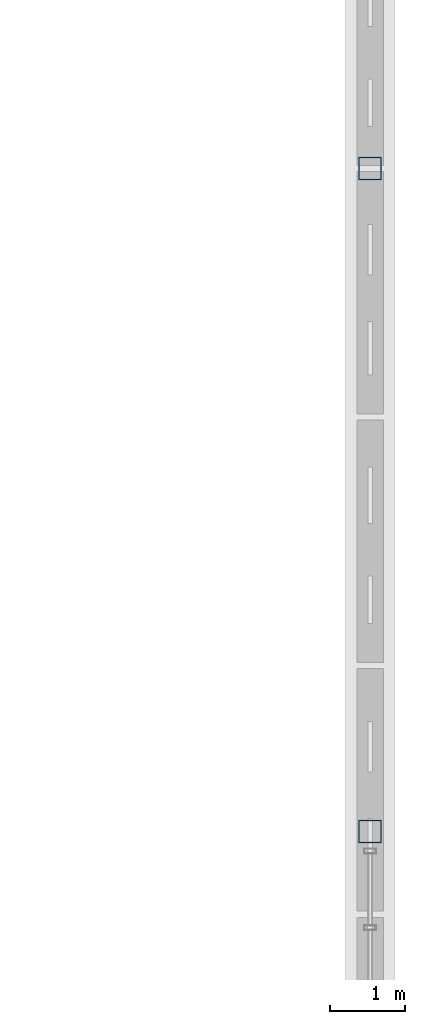
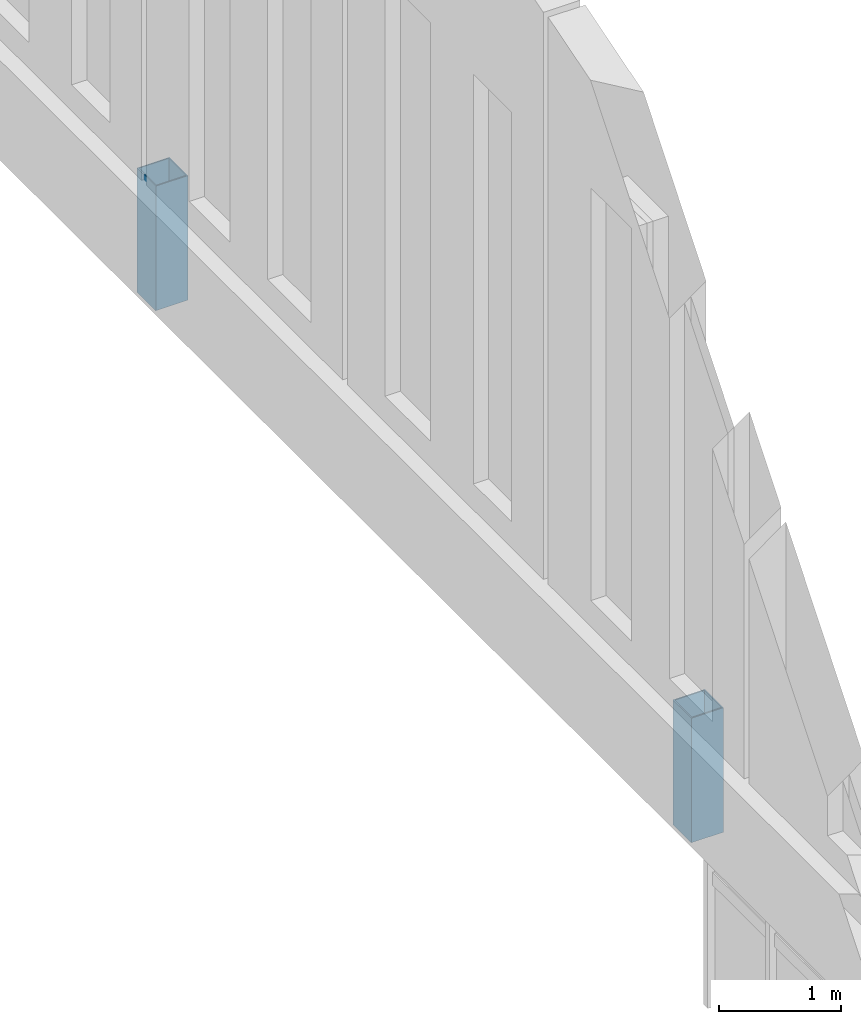
# One storey, part 3 of 65: 2 columns.
"""IFC4 building model written with IfcOpenShell, lengths in metres."""

from ifc_helpers import new_model, si_unit, direction, frame, origin, origin_2d, place, context, subcontext, project, spatial, hollow_rectangle, extrude, material, material_profile, profile_set, type_object, element, save


model = new_model("IFC4")

# Units and contexts
model_context = context("Model", 3, precision=1e-05, world=origin(), true_north=direction((0.0, 1.0)))
body_context = subcontext(model_context, "Body", "Model", "MODEL_VIEW")
ifc_project = project(units=[si_unit("LENGTHUNIT", "METRE"), si_unit("AREAUNIT", "SQUARE_METRE"), si_unit("VOLUMEUNIT", "CUBIC_METRE"), si_unit("PLANEANGLEUNIT", "RADIAN"), si_unit("MASSUNIT", "GRAM", prefix="KILO")], contexts=[model_context])

# Site, building, storey
site_placement = place(None, origin())
site = spatial("IfcSite", under=ifc_project, at=site_placement, CompositionType="ELEMENT")
building_placement = place(site_placement, origin())
building = spatial("IfcBuilding", under=site, at=building_placement, Name="Chalmorin Arch Market", CompositionType="ELEMENT")
storey_placement = place(building_placement, frame((0.0, 0.0, 14.10009765625)))
storey = spatial("IfcBuildingStorey", under=building, at=storey_placement, Name="L03", CompositionType="ELEMENT", Elevation=14.10009765625)

# Columns
ifc_material = material(Name="Steel A500 Grade C", Category="steel")
ifc_material_profile = material_profile(ifc_material, hollow_rectangle(XDim=0.3046875, YDim=0.3046875, WallThickness=0.01171875, at=origin_2d()), Name="HSS12X12X1/2")
ifc_profile_set = profile_set([ifc_material_profile], Name="Steel A500 Grade C")
column_type = type_object("IfcColumnType", Name="SteelTubeColumn-HSS12X12", PredefinedType="COLUMN", material=ifc_profile_set)
for number, where, z_axis, x_axis, name in (
    (1, (124.800048828125, 23.60009765625, 0.0), (0.0, 0.0, 1.0), (1.0, 0.0, 0.0), "C-HS1-656"),
    (2, (124.800048828125, 32.39990234375, 0.0), (0.0, 0.0, 1.0), (1.0, 0.0, 0.0), "C-HS1-661"),
):
    element("IfcColumn", number, at=place(storey_placement, frame(where, z_axis=z_axis, x_axis=x_axis)), inside=storey, type_object=column_type, Name=name, PredefinedType="COLUMN", context=body_context, shape_type="SweptSolid", body=[
        extrude(hollow_rectangle(XDim=0.3046875, YDim=0.3046875, WallThickness=0.01171875, at=origin_2d()), origin(), (0.0, 0.0, 1.0), 1.25),
    ])

save(model, "model.ifc")
